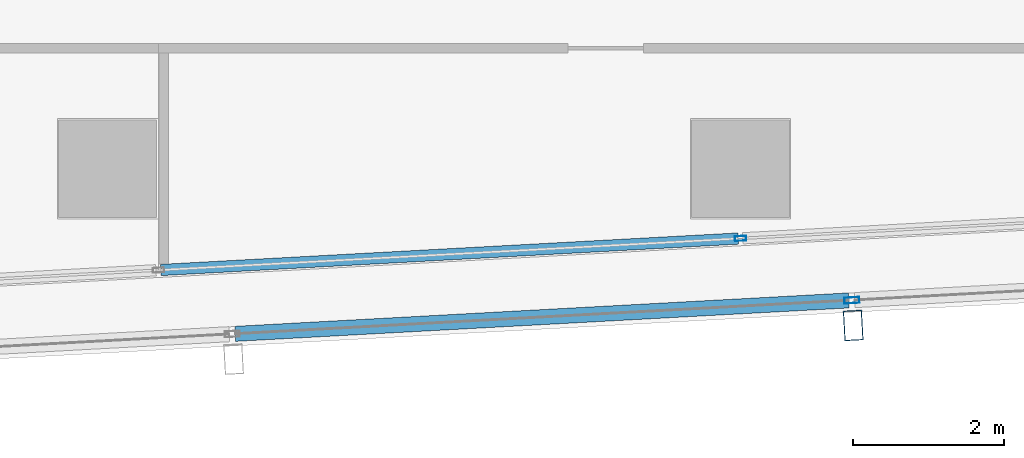
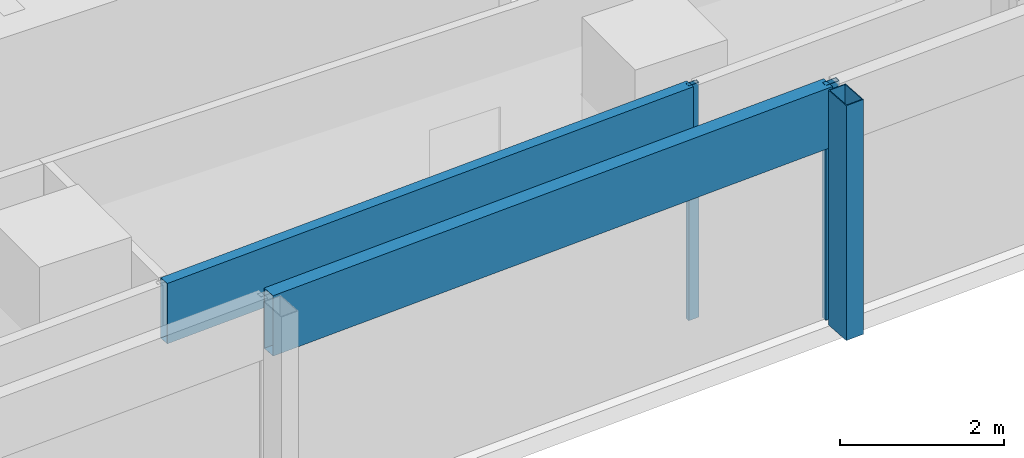
# One storey, part 10 of 28: 5 members, 2 elements without a shape of their own.
"""IFC4 building model written with IfcOpenShell, lengths in metres."""

from ifc_helpers import new_model, si_unit, direction, frame, origin, origin_2d, place, context, subcontext, project, spatial, hollow_rectangle, extrude, material, material_profile, profile_set, type_object, element, aggregate, save


model = new_model("IFC4")

# Units and contexts
model_context = context("Model", 3, precision=1e-05, world=origin(), true_north=direction((0.0, 1.0)))
body_context = subcontext(model_context, "Body", "Model", "MODEL_VIEW")
ifc_project = project(units=[si_unit("LENGTHUNIT", "METRE"), si_unit("AREAUNIT", "SQUARE_METRE"), si_unit("VOLUMEUNIT", "CUBIC_METRE"), si_unit("PLANEANGLEUNIT", "RADIAN"), si_unit("MASSUNIT", "GRAM", prefix="KILO")], contexts=[model_context])

# Site, building, storey
site_placement = place(None, origin())
site = spatial("IfcSite", under=ifc_project, at=site_placement, CompositionType="ELEMENT")
building_placement = place(site_placement, origin())
building = spatial("IfcBuilding", under=site, at=building_placement, Name="Rekha Terrace Tower", CompositionType="ELEMENT")
storey_placement = place(building_placement, frame((0.0, 0.0, 253.85009765625)))
storey = spatial("IfcBuildingStorey", under=building, at=storey_placement, Name="L64", CompositionType="ELEMENT", Elevation=253.85009765625)

# Curtain wall, member
ifc_material_1 = material(Name="Aluminium framing", Category="aluminium")
curtain_wall_type_1 = type_object("IfcCurtainWallType", Name="CW2 double skin outer glazing", PredefinedType="USERDEFINED", material=ifc_material_1)
curtain_wall_1_placement = place(storey_placement, origin())
curtain_wall_1 = element("IfcCurtainWall", 1, at=curtain_wall_1_placement, inside=storey, type_object=curtain_wall_type_1, Name="CW2 double skin outer glazing", ObjectType="DOUBLE SKIN OUTER GLAZING", PredefinedType="USERDEFINED")
ifc_material_2 = material(Name="Steel S355 with fluorocarbon finish", Category="steel")
ifc_material_profile_1 = material_profile(ifc_material_2, hollow_rectangle(XDim=0.25, YDim=0.39990234375, WallThickness=0.012451171875, at=origin_2d()), Name="RHS400x250x12.5")
ifc_profile_set_1 = profile_set([ifc_material_profile_1], Name="Steel S355 with fluorocarbon finish")
member_type_1 = type_object("IfcMemberType", Name="BL1 facade blade RHS 400 x 250", PredefinedType="USERDEFINED", material=ifc_profile_set_1)
member_1_placement = place(storey_placement, frame((51.894775390625, 14.719482421875, 0.0), z_axis=(0.0, 0.0, 1.0), x_axis=(0.99851982155, 0.054389024366, 0.0)))
member_1 = element("IfcMember", 2, at=member_1_placement, type_object=member_type_1, Name="Facade blade", ObjectType="FACADE BLADE", PredefinedType="USERDEFINED", context=body_context, shape_type="SweptSolid", body=[
    extrude(hollow_rectangle(XDim=0.25, YDim=0.39990234375, WallThickness=0.012451171875, at=origin_2d()), origin(), (0.0, 0.0, 1.0), 3.5),
])

# Curtain wall, members
curtain_wall_type_2 = type_object("IfcCurtainWallType", Name="CW1 double skin inner glazing", PredefinedType="USERDEFINED", material=ifc_material_1)
curtain_wall_2_placement = place(storey_placement, origin())
curtain_wall_2 = element("IfcCurtainWall", 3, at=curtain_wall_2_placement, inside=storey, type_object=curtain_wall_type_2, Name="CW1 double skin inner glazing", ObjectType="DOUBLE SKIN INNER GLAZING", PredefinedType="USERDEFINED")
ifc_material_3 = material(Name="Aluminium mullion section", Category="aluminium")
ifc_material_profile_2 = material_profile(ifc_material_3, hollow_rectangle(XDim=0.06494140625, YDim=0.14990234375, WallThickness=0.00390625, at=origin_2d()), Name="AL RHS 65x150")
ifc_profile_set_2 = profile_set([ifc_material_profile_2], Name="Aluminium mullion section")
member_type_2 = type_object("IfcMemberType", Name="CW1 mullion RHS 65 x 150", PredefinedType="MULLION", material=ifc_profile_set_2)
member_2_placement = place(storey_placement, frame((50.399169921875, 15.875, 0.0), z_axis=(0.0, 0.0, 1.0), x_axis=(-0.054388903036, 0.998519828159, 0.0)))
member_2 = element("IfcMember", 4, at=member_2_placement, type_object=member_type_2, Name="CW1 mullion 4", PredefinedType="MULLION", context=body_context, shape_type="SweptSolid", body=[
    extrude(hollow_rectangle(XDim=0.06494140625, YDim=0.14990234375, WallThickness=0.00390625, at=origin_2d()), origin(), (0.0, 0.0, 1.0), 3.5),
])
ifc_material_4 = material(Name="Insulated aluminium spandrel box", Category="aluminium")
ifc_material_profile_3 = material_profile(ifc_material_4, hollow_rectangle(XDim=0.14990234375, YDim=0.89990234375, WallThickness=0.0029296875, at=origin_2d()), Name="AL SPANDREL BOX 150x900")
ifc_profile_set_3 = profile_set([ifc_material_profile_3], Name="Insulated aluminium spandrel box")
member_type_3 = type_object("IfcMemberType", Name="CW1 spandrel transom 150 x 900", PredefinedType="USERDEFINED", material=ifc_profile_set_3)
member_3_placement = place(storey_placement, frame((42.7060546875, 15.4560546875, 3.0498046875), z_axis=(0.998520078442, 0.054384307925, 0.0), x_axis=(-0.054384307925, 0.998520078442, 0.0)))
member_3 = element("IfcMember", 5, at=member_3_placement, type_object=member_type_3, Name="CW1 spandrel transom 3", ObjectType="TRANSOM", PredefinedType="USERDEFINED", context=body_context, shape_type="SweptSolid", body=[
    extrude(hollow_rectangle(XDim=0.14990234375, YDim=0.89990234375, WallThickness=0.0029296875, at=origin_2d()), origin(), (0.0, 0.0, 1.0), 7.672119140625),
])
aggregate(curtain_wall_2, [member_2, member_3])

# Member
ifc_material_profile_4 = material_profile(ifc_material_3, hollow_rectangle(XDim=0.080078125, YDim=0.199951171875, WallThickness=0.00390625, at=origin_2d()), Name="AL RHS 80x200")
ifc_profile_set_4 = profile_set([ifc_material_profile_4], Name="Aluminium mullion section")
member_type_4 = type_object("IfcMemberType", Name="CW2 mullion RHS 80 x 200", PredefinedType="MULLION", material=ifc_profile_set_4)
member_4_placement = place(storey_placement, frame((51.87646484375, 15.05419921875, 0.0), z_axis=(0.0, 0.0, 1.0), x_axis=(-0.054388903071, 0.998519828157, 0.0)))
member_4 = element("IfcMember", 6, at=member_4_placement, type_object=member_type_4, Name="CW2 mullion 4", PredefinedType="MULLION", context=body_context, shape_type="SweptSolid", body=[
    extrude(hollow_rectangle(XDim=0.080078125, YDim=0.199951171875, WallThickness=0.00390625, at=origin_2d()), origin(), (0.0, 0.0, 1.0), 3.5),
])

ifc_material_profile_5 = material_profile(ifc_material_4, hollow_rectangle(XDim=0.199951171875, YDim=0.89990234375, WallThickness=0.0029296875, at=origin_2d()), Name="AL SPANDREL BOX 200x900")
ifc_profile_set_5 = profile_set([ifc_material_profile_5], Name="Insulated aluminium spandrel box")
member_type_5 = type_object("IfcMemberType", Name="CW2 spandrel transom 200 x 900", PredefinedType="USERDEFINED", material=ifc_profile_set_5)
member_5_placement = place(storey_placement, frame((43.693115234375, 14.6083984375, 3.0498046875), z_axis=(0.998519642092, 0.054392318914, 0.0), x_axis=(-0.054392318914, 0.998519642092, 0.0)))
member_5 = element("IfcMember", 7, at=member_5_placement, type_object=member_type_5, Name="CW2 spandrel transom 3", ObjectType="TRANSOM", PredefinedType="USERDEFINED", context=body_context, shape_type="SweptSolid", body=[
    extrude(hollow_rectangle(XDim=0.199951171875, YDim=0.89990234375, WallThickness=0.0029296875, at=origin_2d()), origin(), (0.0, 0.0, 1.0), 8.155517578125),
])

aggregate(curtain_wall_1, [member_4, member_5, member_1])

save(model, "model.ifc")
